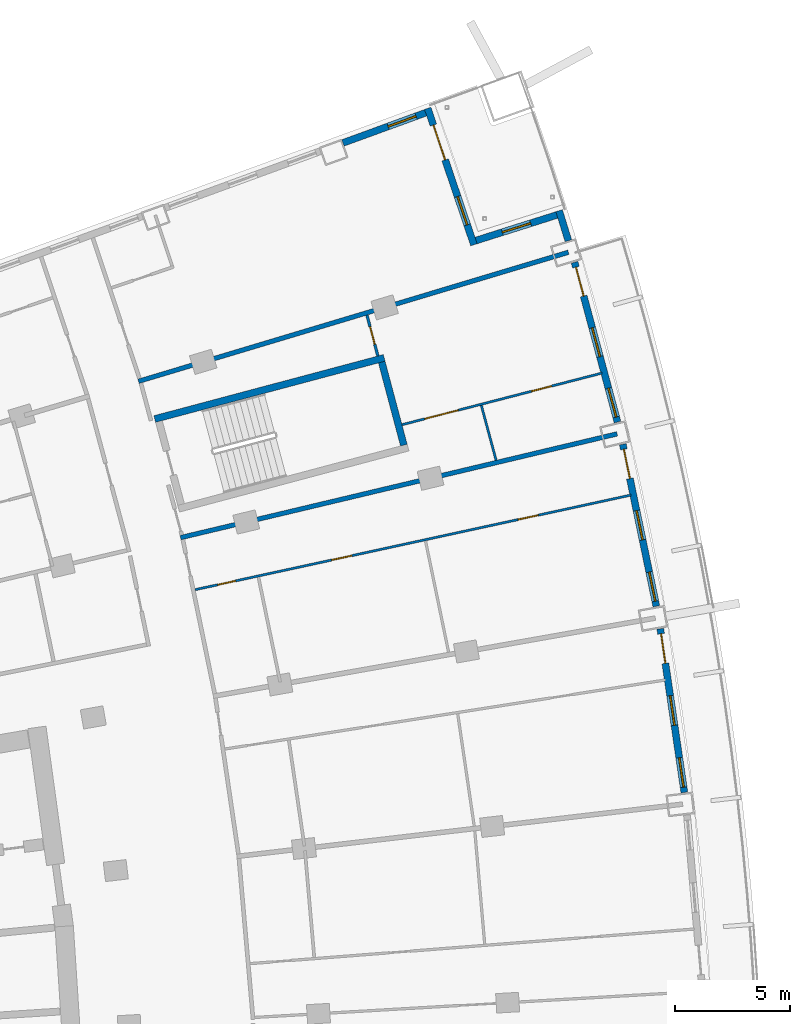
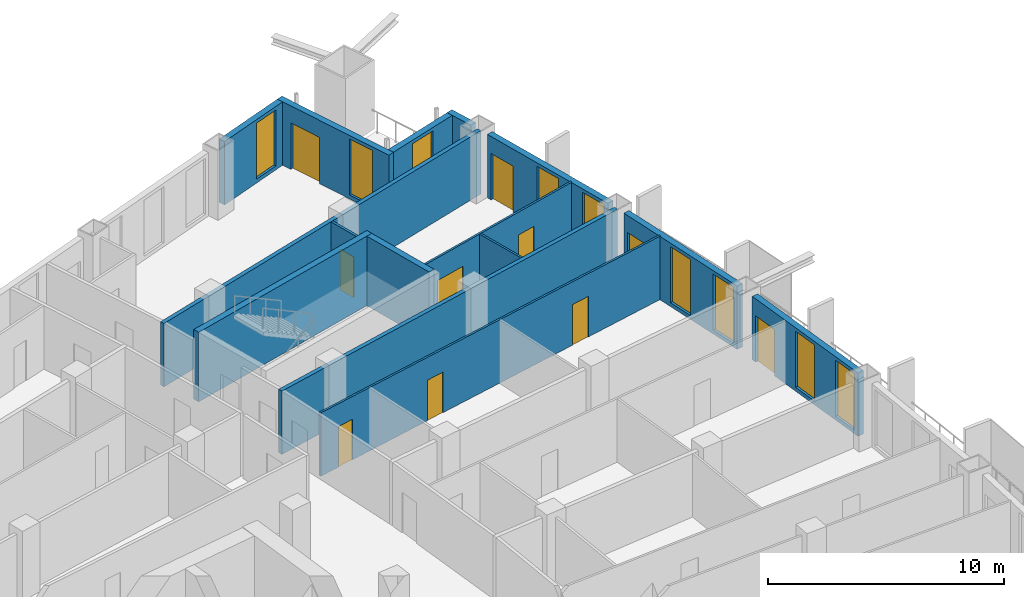
# One storey, part 21 of 25: 15 walls, 10 doors, 9 windows, 19 openings.
"""IFC4 building model written with IfcOpenShell, lengths in metres."""

from ifc_helpers import new_model, si_unit, direction, frame, frame_2d, origin, place, context, subcontext, project, spatial, rectangle, extrude, material, layer, layer_set, type_object, element, fill, save


model = new_model("IFC4")

# Units and contexts
model_context = context("Model", 3, precision=1e-05, world=origin(), true_north=direction((0.0, 1.0)))
body_context = subcontext(model_context, "Body", "Model", "MODEL_VIEW")
ifc_project = project(units=[si_unit("LENGTHUNIT", "METRE"), si_unit("AREAUNIT", "SQUARE_METRE"), si_unit("VOLUMEUNIT", "CUBIC_METRE"), si_unit("PLANEANGLEUNIT", "RADIAN"), si_unit("MASSUNIT", "GRAM", prefix="KILO")], contexts=[model_context])

# Site, building, storey
site_placement = place(None, origin())
site = spatial("IfcSite", under=ifc_project, at=site_placement, CompositionType="ELEMENT")
building_placement = place(site_placement, origin())
building = spatial("IfcBuilding", under=site, at=building_placement, Name="Alderwake Tower", CompositionType="ELEMENT")
storey_placement = place(building_placement, frame((0.0, 0.0, 122.0)))
storey = spatial("IfcBuildingStorey", under=building, at=storey_placement, Name="L30", CompositionType="ELEMENT", Elevation=122.0)

# Walls
ifc_material_1 = material(Name="Concrete C70/85", Category="concrete")
ifc_layer_1 = layer(ifc_material_1, 0.300048828125)
ifc_layer_set_1 = layer_set([ifc_layer_1], Name="Core wall stair enclosure 300 C70-85")
wall_type_1 = type_object("IfcWallType", Name="Core wall stair enclosure 300 C70-85", PredefinedType="SHEAR", material=ifc_layer_set_1)
wall_1_placement = place(storey_placement, frame((36.71142578125, 94.182373046875, 0.0), z_axis=(0.0, 0.0, 1.0), x_axis=(0.966309214305, 0.257383958996, 0.0)))
element("IfcWall", 1, at=wall_1_placement, inside=storey, type_object=wall_type_1, Name="Core wall CW.082", PredefinedType="SHEAR", context=body_context, shape_type="SweptSolid", body=[
    extrude(rectangle(XDim=10.360107421875, YDim=0.300048828125, at=frame_2d((5.18017578125, 0.0))), origin(), (0.0, 0.0, 1.0), 3.60009765625),
])
wall_2_placement = place(storey_placement, frame((47.581298828125, 93.041748046875, 0.0), z_axis=(0.0, 0.0, 1.0), x_axis=(-0.257366821694, 0.966313778796, 0.0)))
element("IfcWall", 2, at=wall_2_placement, inside=storey, type_object=wall_type_1, Name="Core wall CW.081", PredefinedType="SHEAR", context=body_context, shape_type="SweptSolid", body=[
    extrude(rectangle(XDim=3.749755859375, YDim=0.300048828125, at=frame_2d((1.875, 0.0))), origin(), (0.0, 0.0, 1.0), 3.60009765625),
])

# Wall, openings, door, windows
ifc_material_2 = material(Name="Precast concrete C50/60 spandrel panel", Category="concrete")
ifc_layer_2 = layer(ifc_material_2, 0.300048828125)
ifc_layer_set_2 = layer_set([ifc_layer_2], Name="External wall EW1 Precast concrete C50/60 spandrel")
wall_type_2 = type_object("IfcWallType", Name="External wall EW1 Precast concrete C50/60 spandrel", PredefinedType="SOLIDWALL", material=ifc_layer_set_2)
wall_3_placement = place(storey_placement, frame((59.820068359375, 77.888916015625, 0.0), z_axis=(0.0, 0.0, 1.0), x_axis=(-0.145322588421, 0.989384326384, 0.0)))
wall_3 = element("IfcWall", 3, at=wall_3_placement, inside=storey, type_object=wall_type_2, Name="External wall 19", PredefinedType="SOLIDWALL", context=body_context, shape_type="SweptSolid", body=[
    extrude(rectangle(XDim=7.21728515625, YDim=0.300048828125, at=frame_2d((3.608642578125, 0.0))), origin(), (0.0, 0.0, 1.0), 3.280029296875),
])
opening_1_placement = place(wall_3_placement, frame((0.22509765625, 0.0, 0.199951171875)))
opening_1 = element("IfcOpeningElement", 4, at=opening_1_placement, cuts=wall_3, Name="Opening W1", PredefinedType="OPENING", context=body_context, shape_type="SweptSolid", body=[
    extrude(rectangle(XDim=1.300048828125, YDim=2.89990234375, at=frame_2d((0.64990234375, 1.449951171875))), frame((0.0, 0.159912109375, 0.0), z_axis=(0.0, -1.0, 0.0), x_axis=(1.0, 0.0, 0.0)), (0.0, 0.0, 1.0), 0.320068359375),
])
opening_2_placement = place(wall_3_placement, frame((2.958740234375, 0.0, 0.199951171875)))
opening_2 = element("IfcOpeningElement", 5, at=opening_2_placement, cuts=wall_3, Name="Opening W1", PredefinedType="OPENING", context=body_context, shape_type="SweptSolid", body=[
    extrude(rectangle(XDim=1.300048828125, YDim=2.89990234375, at=frame_2d((0.64990234375, 1.449951171875))), frame((0.0, 0.159912109375, 0.0), z_axis=(0.0, -1.0, 0.0), x_axis=(1.0, 0.0, 0.0)), (0.0, 0.0, 1.0), 0.320068359375),
])
opening_3_placement = place(wall_3_placement, frame((5.692138671875, 0.0, 0.0)))
opening_3 = element("IfcOpeningElement", 6, at=opening_3_placement, cuts=wall_3, Name="Opening D10", PredefinedType="OPENING", context=body_context, shape_type="SweptSolid", body=[
    extrude(rectangle(XDim=1.300048828125, YDim=2.39990234375, at=frame_2d((0.64990234375, 1.199951171875))), frame((0.0, 0.159912109375, 0.0), z_axis=(0.0, -1.0, 0.0), x_axis=(1.0, 0.0, 0.0)), (0.0, 0.0, 1.0), 0.320068359375),
])
ifc_material_3 = material(Name="Bronze tinted glass in aluminium frame", Category="aluminium")
door_type_1 = type_object("IfcDoorType", Name="Balcony door BD sliding", OperationType="SLIDING_TO_LEFT", PredefinedType="DOOR", material=ifc_material_3)
door_1_placement = place(opening_3_placement, origin())
door_1 = element("IfcDoor", 7, at=door_1_placement, inside=storey, type_object=door_type_1, Name="Door D10", OperationType="SLIDING_TO_LEFT", OverallHeight=2.39990234375, OverallWidth=1.300048828125, PredefinedType="DOOR", context=body_context, shape_type="SweptSolid", body=[
    extrude(rectangle(XDim=1.300048828125, YDim=2.39990234375, at=frame_2d((0.64990234375, 1.199951171875))), frame((0.0, 0.02490234375, 0.0), z_axis=(0.0, -1.0, 0.0), x_axis=(1.0, 0.0, 0.0)), (0.0, 0.0, 1.0), 0.050048828125),
])
fill(opening_3, door_1)
ifc_material_4 = material(Name="Bronze tinted glass in aluminium frame", Category="aluminium")
window_type = type_object("IfcWindowType", Name="Window W1 tall fixed and vent", PartitioningType="DOUBLE_PANEL_VERTICAL", PredefinedType="WINDOW", material=ifc_material_4)
window_1_placement = place(opening_1_placement, origin())
window_1 = element("IfcWindow", 8, at=window_1_placement, inside=storey, type_object=window_type, Name="Window W1 tall fixed and vent", OverallHeight=2.89990234375, OverallWidth=1.300048828125, PartitioningType="DOUBLE_PANEL_VERTICAL", PredefinedType="WINDOW", context=body_context, shape_type="SweptSolid", body=[
    extrude(rectangle(XDim=1.300048828125, YDim=2.89990234375, at=frame_2d((0.64990234375, 1.449951171875))), frame((0.0, 0.030029296875, 0.0), z_axis=(0.0, -1.0, 0.0), x_axis=(1.0, 0.0, 0.0)), (0.0, 0.0, 1.0), 0.06005859375),
])
fill(opening_1, window_1)
window_2_placement = place(opening_2_placement, origin())
window_2 = element("IfcWindow", 9, at=window_2_placement, inside=storey, type_object=window_type, Name="Window W1 tall fixed and vent", OverallHeight=2.89990234375, OverallWidth=1.300048828125, PartitioningType="DOUBLE_PANEL_VERTICAL", PredefinedType="WINDOW", context=body_context, shape_type="SweptSolid", body=[
    extrude(rectangle(XDim=1.300048828125, YDim=2.89990234375, at=frame_2d((0.64990234375, 1.449951171875))), frame((0.0, 0.030029296875, 0.0), z_axis=(0.0, -1.0, 0.0), x_axis=(1.0, 0.0, 0.0)), (0.0, 0.0, 1.0), 0.06005859375),
])
fill(opening_2, window_2)

wall_4_placement = place(storey_placement, frame((58.59765625, 86.01171875, 0.0), z_axis=(0.0, 0.0, 1.0), x_axis=(-0.202759964429, 0.979228470187, 0.0)))
wall_4 = element("IfcWall", 10, at=wall_4_placement, inside=storey, type_object=wall_type_2, Name="External wall 20", PredefinedType="SOLIDWALL", context=body_context, shape_type="SweptSolid", body=[
    extrude(rectangle(XDim=7.21728515625, YDim=0.300048828125, at=frame_2d((3.608642578125, 0.0))), origin(), (0.0, 0.0, 1.0), 3.280029296875),
])
opening_4_placement = place(wall_4_placement, frame((0.22509765625, 0.0, 0.199951171875)))
opening_4 = element("IfcOpeningElement", 11, at=opening_4_placement, cuts=wall_4, Name="Opening W1", PredefinedType="OPENING", context=body_context, shape_type="SweptSolid", body=[
    extrude(rectangle(XDim=1.300048828125, YDim=2.89990234375, at=frame_2d((0.64990234375, 1.449951171875))), frame((0.0, 0.159912109375, 0.0), z_axis=(0.0, -1.0, 0.0), x_axis=(1.0, 0.0, 0.0)), (0.0, 0.0, 1.0), 0.320068359375),
])
opening_5_placement = place(wall_4_placement, frame((2.958740234375, 0.0, 0.199951171875)))
opening_5 = element("IfcOpeningElement", 12, at=opening_5_placement, cuts=wall_4, Name="Opening W1", PredefinedType="OPENING", context=body_context, shape_type="SweptSolid", body=[
    extrude(rectangle(XDim=1.300048828125, YDim=2.89990234375, at=frame_2d((0.64990234375, 1.449951171875))), frame((0.0, 0.159912109375, 0.0), z_axis=(0.0, -1.0, 0.0), x_axis=(1.0, 0.0, 0.0)), (0.0, 0.0, 1.0), 0.320068359375),
])
opening_6_placement = place(wall_4_placement, frame((5.692138671875, 0.0, 0.0)))
opening_6 = element("IfcOpeningElement", 13, at=opening_6_placement, cuts=wall_4, Name="Opening D11", PredefinedType="OPENING", context=body_context, shape_type="SweptSolid", body=[
    extrude(rectangle(XDim=1.300048828125, YDim=2.39990234375, at=frame_2d((0.64990234375, 1.199951171875))), frame((0.0, 0.159912109375, 0.0), z_axis=(0.0, -1.0, 0.0), x_axis=(1.0, 0.0, 0.0)), (0.0, 0.0, 1.0), 0.320068359375),
])
door_2_placement = place(opening_6_placement, origin())
door_2 = element("IfcDoor", 14, at=door_2_placement, inside=storey, type_object=door_type_1, Name="Door D11", OperationType="SLIDING_TO_LEFT", OverallHeight=2.39990234375, OverallWidth=1.300048828125, PredefinedType="DOOR", context=body_context, shape_type="SweptSolid", body=[
    extrude(rectangle(XDim=1.300048828125, YDim=2.39990234375, at=frame_2d((0.64990234375, 1.199951171875))), frame((0.0, 0.02490234375, 0.0), z_axis=(0.0, -1.0, 0.0), x_axis=(1.0, 0.0, 0.0)), (0.0, 0.0, 1.0), 0.050048828125),
])
fill(opening_6, door_2)
window_3_placement = place(opening_4_placement, origin())
window_3 = element("IfcWindow", 15, at=window_3_placement, inside=storey, type_object=window_type, Name="Window W1 tall fixed and vent", OverallHeight=2.89990234375, OverallWidth=1.300048828125, PartitioningType="DOUBLE_PANEL_VERTICAL", PredefinedType="WINDOW", context=body_context, shape_type="SweptSolid", body=[
    extrude(rectangle(XDim=1.300048828125, YDim=2.89990234375, at=frame_2d((0.64990234375, 1.449951171875))), frame((0.0, 0.030029296875, 0.0), z_axis=(0.0, -1.0, 0.0), x_axis=(1.0, 0.0, 0.0)), (0.0, 0.0, 1.0), 0.06005859375),
])
fill(opening_4, window_3)
window_4_placement = place(opening_5_placement, origin())
window_4 = element("IfcWindow", 16, at=window_4_placement, inside=storey, type_object=window_type, Name="Window W1 tall fixed and vent", OverallHeight=2.89990234375, OverallWidth=1.300048828125, PartitioningType="DOUBLE_PANEL_VERTICAL", PredefinedType="WINDOW", context=body_context, shape_type="SweptSolid", body=[
    extrude(rectangle(XDim=1.300048828125, YDim=2.89990234375, at=frame_2d((0.64990234375, 1.449951171875))), frame((0.0, 0.030029296875, 0.0), z_axis=(0.0, -1.0, 0.0), x_axis=(1.0, 0.0, 0.0)), (0.0, 0.0, 1.0), 0.06005859375),
])
fill(opening_5, window_4)

wall_5_placement = place(storey_placement, frame((56.90380859375, 94.04931640625, 0.0), z_axis=(0.0, 0.0, 1.0), x_axis=(-0.259514900315, 0.965739103751, 0.0)))
wall_5 = element("IfcWall", 17, at=wall_5_placement, inside=storey, type_object=wall_type_2, Name="External wall 21", PredefinedType="SOLIDWALL", context=body_context, shape_type="SweptSolid", body=[
    extrude(rectangle(XDim=7.217529296875, YDim=0.300048828125, at=frame_2d((3.60888671875, 0.0))), origin(), (0.0, 0.0, 1.0), 3.280029296875),
])
opening_7_placement = place(wall_5_placement, frame((0.22509765625, 0.0, 0.199951171875)))
opening_7 = element("IfcOpeningElement", 18, at=opening_7_placement, cuts=wall_5, Name="Opening W1", PredefinedType="OPENING", context=body_context, shape_type="SweptSolid", body=[
    extrude(rectangle(XDim=1.300048828125, YDim=2.89990234375, at=frame_2d((0.64990234375, 1.449951171875))), frame((0.0, 0.159912109375, 0.0), z_axis=(0.0, -1.0, 0.0), x_axis=(1.0, 0.0, 0.0)), (0.0, 0.0, 1.0), 0.320068359375),
])
opening_8_placement = place(wall_5_placement, frame((2.958740234375, 0.0, 0.199951171875)))
opening_8 = element("IfcOpeningElement", 19, at=opening_8_placement, cuts=wall_5, Name="Opening W1", PredefinedType="OPENING", context=body_context, shape_type="SweptSolid", body=[
    extrude(rectangle(XDim=1.300048828125, YDim=2.89990234375, at=frame_2d((0.64990234375, 1.449951171875))), frame((0.0, 0.159912109375, 0.0), z_axis=(0.0, -1.0, 0.0), x_axis=(1.0, 0.0, 0.0)), (0.0, 0.0, 1.0), 0.320068359375),
])
opening_9_placement = place(wall_5_placement, frame((5.692138671875, 0.0, 0.0)))
opening_9 = element("IfcOpeningElement", 20, at=opening_9_placement, cuts=wall_5, Name="Opening D12", PredefinedType="OPENING", context=body_context, shape_type="SweptSolid", body=[
    extrude(rectangle(XDim=1.300048828125, YDim=2.39990234375, at=frame_2d((0.64990234375, 1.199951171875))), frame((0.0, 0.159912109375, 0.0), z_axis=(0.0, -1.0, 0.0), x_axis=(1.0, 0.0, 0.0)), (0.0, 0.0, 1.0), 0.320068359375),
])
door_3_placement = place(opening_9_placement, origin())
door_3 = element("IfcDoor", 21, at=door_3_placement, inside=storey, type_object=door_type_1, Name="Door D12", OperationType="SLIDING_TO_LEFT", OverallHeight=2.39990234375, OverallWidth=1.300048828125, PredefinedType="DOOR", context=body_context, shape_type="SweptSolid", body=[
    extrude(rectangle(XDim=1.300048828125, YDim=2.39990234375, at=frame_2d((0.64990234375, 1.199951171875))), frame((0.0, 0.02490234375, 0.0), z_axis=(0.0, -1.0, 0.0), x_axis=(1.0, 0.0, 0.0)), (0.0, 0.0, 1.0), 0.050048828125),
])
fill(opening_9, door_3)
window_5_placement = place(opening_7_placement, origin())
window_5 = element("IfcWindow", 22, at=window_5_placement, inside=storey, type_object=window_type, Name="Window W1 tall fixed and vent", OverallHeight=2.89990234375, OverallWidth=1.300048828125, PartitioningType="DOUBLE_PANEL_VERTICAL", PredefinedType="WINDOW", context=body_context, shape_type="SweptSolid", body=[
    extrude(rectangle(XDim=1.300048828125, YDim=2.89990234375, at=frame_2d((0.64990234375, 1.449951171875))), frame((0.0, 0.030029296875, 0.0), z_axis=(0.0, -1.0, 0.0), x_axis=(1.0, 0.0, 0.0)), (0.0, 0.0, 1.0), 0.06005859375),
])
fill(opening_7, window_5)
window_6_placement = place(opening_8_placement, origin())
window_6 = element("IfcWindow", 23, at=window_6_placement, inside=storey, type_object=window_type, Name="Window W1 tall fixed and vent", OverallHeight=2.89990234375, OverallWidth=1.300048828125, PartitioningType="DOUBLE_PANEL_VERTICAL", PredefinedType="WINDOW", context=body_context, shape_type="SweptSolid", body=[
    extrude(rectangle(XDim=1.300048828125, YDim=2.89990234375, at=frame_2d((0.64990234375, 1.449951171875))), frame((0.0, 0.030029296875, 0.0), z_axis=(0.0, -1.0, 0.0), x_axis=(1.0, 0.0, 0.0)), (0.0, 0.0, 1.0), 0.06005859375),
])
fill(opening_8, window_6)

# Wall
wall_6_placement = place(storey_placement, frame((54.759521484375, 101.9609375, 0.0), z_axis=(0.0, 0.0, 1.0), x_axis=(-0.294435661299, 0.955671304035, 0.0)))
element("IfcWall", 24, at=wall_6_placement, inside=storey, type_object=wall_type_2, Name="External wall 22", PredefinedType="SOLIDWALL", context=body_context, shape_type="SweptSolid", body=[
    extrude(rectangle(XDim=1.373046875, YDim=0.300048828125, at=frame_2d((0.6865234375, 0.0))), origin(), (0.0, 0.0, 1.0), 3.280029296875),
])

# Wall, opening, window
ifc_material_5 = material(Name="Bronze metal cladding on lightweight framing")
ifc_layer_3 = layer(ifc_material_5, 0.300048828125)
ifc_layer_set_3 = layer_set([ifc_layer_3], Name="External wall EW2 bronze metal cladding")
wall_type_3 = type_object("IfcWallType", Name="External wall EW2 bronze metal cladding", PredefinedType="SOLIDWALL", material=ifc_layer_set_3)
wall_7_placement = place(storey_placement, frame((54.25634765625, 103.08447265625, 0.0), z_axis=(0.0, 0.0, 1.0), x_axis=(-0.953466730622, -0.301498248083, 0.0)))
wall_7 = element("IfcWall", 25, at=wall_7_placement, inside=storey, type_object=wall_type_3, Name="External wall 23", PredefinedType="SOLIDWALL", context=body_context, shape_type="SweptSolid", body=[
    extrude(rectangle(XDim=3.694091796875, YDim=0.300048828125, at=frame_2d((1.84716796875, 0.0))), origin(), (0.0, 0.0, 1.0), 3.280029296875),
])
opening_10_placement = place(wall_7_placement, frame((1.197021484375, 0.0, 0.199951171875)))
opening_10 = element("IfcOpeningElement", 26, at=opening_10_placement, cuts=wall_7, Name="Opening W1", PredefinedType="OPENING", context=body_context, shape_type="SweptSolid", body=[
    extrude(rectangle(XDim=1.300048828125, YDim=2.89990234375, at=frame_2d((0.64990234375, 1.449951171875))), frame((0.0, 0.159912109375, 0.0), z_axis=(0.0, -1.0, 0.0), x_axis=(1.0, 0.0, 0.0)), (0.0, 0.0, 1.0), 0.320068359375),
])
window_7_placement = place(opening_10_placement, origin())
window_7 = element("IfcWindow", 27, at=window_7_placement, inside=storey, type_object=window_type, Name="Window W1 tall fixed and vent", OverallHeight=2.89990234375, OverallWidth=1.300048828125, PartitioningType="DOUBLE_PANEL_VERTICAL", PredefinedType="WINDOW", context=body_context, shape_type="SweptSolid", body=[
    extrude(rectangle(XDim=1.300048828125, YDim=2.89990234375, at=frame_2d((0.64990234375, 1.449951171875))), frame((0.0, 0.030029296875, 0.0), z_axis=(0.0, -1.0, 0.0), x_axis=(1.0, 0.0, 0.0)), (0.0, 0.0, 1.0), 0.06005859375),
])
fill(opening_10, window_7)

# Wall, openings, door, window
wall_8_placement = place(storey_placement, frame((50.63916015625, 101.783447265625, 0.0), z_axis=(0.0, 0.0, 1.0), x_axis=(-0.320895814133, 0.947114500191, 0.0)))
wall_8 = element("IfcWall", 28, at=wall_8_placement, inside=storey, type_object=wall_type_3, Name="External wall 24", PredefinedType="SOLIDWALL", context=body_context, shape_type="SweptSolid", body=[
    extrude(rectangle(XDim=6.28662109375, YDim=0.300048828125, at=frame_2d((3.143310546875, 0.0))), origin(), (0.0, 0.0, 1.0), 3.280029296875),
])
opening_11_placement = place(wall_8_placement, frame((0.921630859375, 0.0, 0.199951171875)))
opening_11 = element("IfcOpeningElement", 29, at=opening_11_placement, cuts=wall_8, Name="Opening W1", PredefinedType="OPENING", context=body_context, shape_type="SweptSolid", body=[
    extrude(rectangle(XDim=1.300048828125, YDim=2.89990234375, at=frame_2d((0.64990234375, 1.449951171875))), frame((0.0, 0.159912109375, 0.0), z_axis=(0.0, -1.0, 0.0), x_axis=(1.0, 0.0, 0.0)), (0.0, 0.0, 1.0), 0.320068359375),
])
opening_12_placement = place(wall_8_placement, frame((3.9150390625, 0.0, 0.0)))
opening_12 = element("IfcOpeningElement", 30, at=opening_12_placement, cuts=wall_8, Name="Opening D13", PredefinedType="OPENING", context=body_context, shape_type="SweptSolid", body=[
    extrude(rectangle(XDim=1.60009765625, YDim=2.39990234375, at=frame_2d((0.800048828125, 1.199951171875))), frame((0.0, 0.159912109375, 0.0), z_axis=(0.0, -1.0, 0.0), x_axis=(1.0, 0.0, 0.0)), (0.0, 0.0, 1.0), 0.320068359375),
])
ifc_material_6 = material(Name="Bronze tinted glass in aluminium frame", Category="aluminium")
door_type_2 = type_object("IfcDoorType", Name="Terrace door TD sliding", OperationType="SLIDING_TO_LEFT", PredefinedType="DOOR", material=ifc_material_6)
door_4_placement = place(opening_12_placement, origin())
door_4 = element("IfcDoor", 31, at=door_4_placement, inside=storey, type_object=door_type_2, Name="Door D13", OperationType="SLIDING_TO_LEFT", OverallHeight=2.39990234375, OverallWidth=1.60009765625, PredefinedType="DOOR", context=body_context, shape_type="SweptSolid", body=[
    extrude(rectangle(XDim=1.60009765625, YDim=2.39990234375, at=frame_2d((0.800048828125, 1.199951171875))), frame((0.0, 0.02490234375, 0.0), z_axis=(0.0, -1.0, 0.0), x_axis=(1.0, 0.0, 0.0)), (0.0, 0.0, 1.0), 0.050048828125),
])
fill(opening_12, door_4)
window_8_placement = place(opening_11_placement, origin())
window_8 = element("IfcWindow", 32, at=window_8_placement, inside=storey, type_object=window_type, Name="Window W1 tall fixed and vent", OverallHeight=2.89990234375, OverallWidth=1.300048828125, PartitioningType="DOUBLE_PANEL_VERTICAL", PredefinedType="WINDOW", context=body_context, shape_type="SweptSolid", body=[
    extrude(rectangle(XDim=1.300048828125, YDim=2.89990234375, at=frame_2d((0.64990234375, 1.449951171875))), frame((0.0, 0.030029296875, 0.0), z_axis=(0.0, -1.0, 0.0), x_axis=(1.0, 0.0, 0.0)), (0.0, 0.0, 1.0), 0.06005859375),
])
fill(opening_11, window_8)

# Wall, opening, window
wall_9_placement = place(storey_placement, frame((48.529052734375, 107.544189453125, 0.0), z_axis=(0.0, 0.0, 1.0), x_axis=(-0.939372933228, -0.342897203718, 0.0)))
wall_9 = element("IfcWall", 33, at=wall_9_placement, inside=storey, type_object=wall_type_3, Name="External wall 25", PredefinedType="SOLIDWALL", context=body_context, shape_type="SweptSolid", body=[
    extrude(rectangle(XDim=3.837646484375, YDim=0.300048828125, at=frame_2d((1.9189453125, 0.0))), origin(), (0.0, 0.0, 1.0), 3.280029296875),
])
opening_13_placement = place(wall_9_placement, frame((0.441162109375, 0.0, 0.199951171875)))
opening_13 = element("IfcOpeningElement", 34, at=opening_13_placement, cuts=wall_9, Name="Opening W1", PredefinedType="OPENING", context=body_context, shape_type="SweptSolid", body=[
    extrude(rectangle(XDim=1.300048828125, YDim=2.89990234375, at=frame_2d((0.64990234375, 1.449951171875))), frame((0.0, 0.159912109375, 0.0), z_axis=(0.0, -1.0, 0.0), x_axis=(1.0, 0.0, 0.0)), (0.0, 0.0, 1.0), 0.320068359375),
])
window_9_placement = place(opening_13_placement, origin())
window_9 = element("IfcWindow", 35, at=window_9_placement, inside=storey, type_object=window_type, Name="Window W1 tall fixed and vent", OverallHeight=2.89990234375, OverallWidth=1.300048828125, PartitioningType="DOUBLE_PANEL_VERTICAL", PredefinedType="WINDOW", context=body_context, shape_type="SweptSolid", body=[
    extrude(rectangle(XDim=1.300048828125, YDim=2.89990234375, at=frame_2d((0.64990234375, 1.449951171875))), frame((0.0, 0.030029296875, 0.0), z_axis=(0.0, -1.0, 0.0), x_axis=(1.0, 0.0, 0.0)), (0.0, 0.0, 1.0), 0.06005859375),
])
fill(opening_13, window_9)

# Walls
ifc_material_7 = material(Name="Dense block masonry wall", Category="masonry")
ifc_layer_4 = layer(ifc_material_7, 0.199951171875)
ifc_layer_set_4 = layer_set([ifc_layer_4], Name="Party wall 200")
wall_type_4 = type_object("IfcWallType", Name="Party wall 200", PredefinedType="SOLIDWALL", material=ifc_layer_set_4)
wall_10_placement = place(storey_placement, frame((37.839111328125, 89.006591796875, 0.0), z_axis=(0.0, 0.0, 1.0), x_axis=(0.97289391961, 0.23125185661, 0.0)))
element("IfcWall", 36, at=wall_10_placement, inside=storey, type_object=wall_type_4, Name="WL/L30/W07", PredefinedType="SOLIDWALL", context=body_context, shape_type="SweptSolid", body=[
    extrude(rectangle(XDim=19.57763671875, YDim=0.199951171875, at=frame_2d((9.788818359375, 0.0))), origin(), (0.0, 0.0, 1.0), 3.280029296875),
])
wall_11_placement = place(storey_placement, frame((54.759033203125, 101.45703125, 0.0), z_axis=(0.0, 0.0, 1.0), x_axis=(-0.957773766673, -0.287522889302, 0.0)))
element("IfcWall", 37, at=wall_11_placement, inside=storey, type_object=wall_type_4, Name="WL/L30/W09", PredefinedType="SOLIDWALL", context=body_context, shape_type="SweptSolid", body=[
    extrude(rectangle(XDim=19.58154296875, YDim=0.199951171875, at=frame_2d((9.790771484375, 0.0))), origin(), (0.0, 0.0, 1.0), 3.280029296875),
])

# Wall, openings, doors
ifc_material_8 = material(Name="Gypsum board on metal studs")
ifc_layer_5 = layer(ifc_material_8, 0.10009765625)
ifc_layer_set_5 = layer_set([ifc_layer_5], Name="Unit partition 100")
wall_type_5 = type_object("IfcWallType", Name="Unit partition 100", PredefinedType="PARTITIONING", material=ifc_layer_set_5)
wall_12_placement = place(storey_placement, frame((57.491943359375, 90.864013671875, 0.0), z_axis=(0.0, 0.0, 1.0), x_axis=(-0.977238475914, -0.212143727677, 0.0)))
wall_12 = element("IfcWall", 38, at=wall_12_placement, inside=storey, type_object=wall_type_5, Name="WL/L30/W67", PredefinedType="PARTITIONING", context=body_context, shape_type="SweptSolid", body=[
    extrude(rectangle(XDim=19.462890625, YDim=0.10009765625, at=frame_2d((9.7314453125, 0.0))), origin(), (0.0, 0.0, 1.0), 3.280029296875),
])
opening_14_placement = place(wall_12_placement, frame((12.46533203125, 0.0, 0.0)))
opening_14 = element("IfcOpeningElement", 39, at=opening_14_placement, cuts=wall_12, Name="Opening R08-U10.1", PredefinedType="OPENING", context=body_context, shape_type="SweptSolid", body=[
    extrude(rectangle(XDim=0.89990234375, YDim=2.10009765625, at=frame_2d((0.449951171875, 1.050048828125))), frame((0.0, 0.06005859375, 0.0), z_axis=(0.0, -1.0, 0.0), x_axis=(1.0, 0.0, 0.0)), (0.0, 0.0, 1.0), 0.1201171875),
])
opening_15_placement = place(wall_12_placement, frame((17.65380859375, 0.0, 0.0)))
opening_15 = element("IfcOpeningElement", 40, at=opening_15_placement, cuts=wall_12, Name="Opening R08-U10.3", PredefinedType="OPENING", context=body_context, shape_type="SweptSolid", body=[
    extrude(rectangle(XDim=0.800048828125, YDim=2.10009765625, at=frame_2d((0.39990234375, 1.050048828125))), frame((0.0, 0.06005859375, 0.0), z_axis=(0.0, -1.0, 0.0), x_axis=(1.0, 0.0, 0.0)), (0.0, 0.0, 1.0), 0.1201171875),
])
opening_16_placement = place(wall_12_placement, frame((4.1435546875, 0.0, 0.0)))
opening_16 = element("IfcOpeningElement", 41, at=opening_16_placement, cuts=wall_12, Name="Opening R08-U10.4", PredefinedType="OPENING", context=body_context, shape_type="SweptSolid", body=[
    extrude(rectangle(XDim=0.89990234375, YDim=2.10009765625, at=frame_2d((0.449951171875, 1.050048828125))), frame((0.0, 0.06005859375, 0.0), z_axis=(0.0, -1.0, 0.0), x_axis=(1.0, 0.0, 0.0)), (0.0, 0.0, 1.0), 0.1201171875),
])
ifc_material_9 = material(Name="Painted timber leaf", Category="wood")
door_type_3 = type_object("IfcDoorType", Name="Bathroom door 800", OperationType="SINGLE_SWING_LEFT", PredefinedType="DOOR", material=ifc_material_9)
door_5_placement = place(opening_15_placement, origin())
door_5 = element("IfcDoor", 42, at=door_5_placement, inside=storey, type_object=door_type_3, Name="DR/L30/U10.3", OperationType="SINGLE_SWING_LEFT", OverallHeight=2.10009765625, OverallWidth=0.800048828125, PredefinedType="DOOR", context=body_context, shape_type="SweptSolid", body=[
    extrude(rectangle(XDim=0.800048828125, YDim=2.10009765625, at=frame_2d((0.39990234375, 1.050048828125))), frame((0.0, 0.02490234375, 0.0), z_axis=(0.0, -1.0, 0.0), x_axis=(1.0, 0.0, 0.0)), (0.0, 0.0, 1.0), 0.050048828125),
])
fill(opening_15, door_5)
ifc_material_10 = material(Name="Painted timber leaf", Category="wood")
door_type_4 = type_object("IfcDoorType", Name="Room door 900", OperationType="SINGLE_SWING_LEFT", PredefinedType="DOOR", material=ifc_material_10)
door_6_placement = place(opening_14_placement, origin())
door_6 = element("IfcDoor", 43, at=door_6_placement, inside=storey, type_object=door_type_4, Name="DR/L30/U10.1", OperationType="SINGLE_SWING_LEFT", OverallHeight=2.10009765625, OverallWidth=0.89990234375, PredefinedType="DOOR", context=body_context, shape_type="SweptSolid", body=[
    extrude(rectangle(XDim=0.89990234375, YDim=2.10009765625, at=frame_2d((0.449951171875, 1.050048828125))), frame((0.0, 0.02490234375, 0.0), z_axis=(0.0, -1.0, 0.0), x_axis=(1.0, 0.0, 0.0)), (0.0, 0.0, 1.0), 0.050048828125),
])
fill(opening_14, door_6)
door_7_placement = place(opening_16_placement, origin())
door_7 = element("IfcDoor", 44, at=door_7_placement, inside=storey, type_object=door_type_4, Name="DR/L30/U10.4", OperationType="SINGLE_SWING_LEFT", OverallHeight=2.10009765625, OverallWidth=0.89990234375, PredefinedType="DOOR", context=body_context, shape_type="SweptSolid", body=[
    extrude(rectangle(XDim=0.89990234375, YDim=2.10009765625, at=frame_2d((0.449951171875, 1.050048828125))), frame((0.0, 0.02490234375, 0.0), z_axis=(0.0, -1.0, 0.0), x_axis=(1.0, 0.0, 0.0)), (0.0, 0.0, 1.0), 0.050048828125),
])
fill(opening_16, door_7)

wall_13_placement = place(storey_placement, frame((47.4990234375, 93.93310546875, 0.0), z_axis=(0.0, 0.0, 1.0), x_axis=(0.968256179077, 0.249959940148, 0.0)))
wall_13 = element("IfcWall", 45, at=wall_13_placement, inside=storey, type_object=wall_type_5, Name="WL/L30/W77", PredefinedType="PARTITIONING", context=body_context, shape_type="SweptSolid", body=[
    extrude(rectangle(XDim=9.01318359375, YDim=0.10009765625, at=frame_2d((4.506591796875, 0.0))), origin(), (0.0, 0.0, 1.0), 3.280029296875),
])
opening_17_placement = place(wall_13_placement, frame((1.03173828125, 0.0, 0.0)))
opening_17 = element("IfcOpeningElement", 46, at=opening_17_placement, cuts=wall_13, Name="Opening R08-U02.2", PredefinedType="OPENING", context=body_context, shape_type="SweptSolid", body=[
    extrude(rectangle(XDim=1.5, YDim=2.10009765625, at=frame_2d((0.75, 1.050048828125))), frame((0.0, 0.06005859375, 0.0), z_axis=(0.0, -1.0, 0.0), x_axis=(1.0, 0.0, 0.0)), (0.0, 0.0, 1.0), 0.1201171875),
])
opening_18_placement = place(wall_13_placement, frame((5.838134765625, 0.0, 0.0)))
opening_18 = element("IfcOpeningElement", 47, at=opening_18_placement, cuts=wall_13, Name="Opening R08-U02.3", PredefinedType="OPENING", context=body_context, shape_type="SweptSolid", body=[
    extrude(rectangle(XDim=0.89990234375, YDim=2.10009765625, at=frame_2d((0.449951171875, 1.050048828125))), frame((0.0, 0.06005859375, 0.0), z_axis=(0.0, -1.0, 0.0), x_axis=(1.0, 0.0, 0.0)), (0.0, 0.0, 1.0), 0.1201171875),
])
ifc_material_11 = material(Name="Painted timber leaves", Category="wood")
door_type_5 = type_object("IfcDoorType", Name="Double leaf door 1500", OperationType="DOUBLE_DOOR_SINGLE_SWING", PredefinedType="DOOR", material=ifc_material_11)
door_8_placement = place(opening_17_placement, origin())
door_8 = element("IfcDoor", 48, at=door_8_placement, inside=storey, type_object=door_type_5, Name="DR/L30/U02.2", OperationType="DOUBLE_DOOR_SINGLE_SWING", OverallHeight=2.10009765625, OverallWidth=1.5, PredefinedType="DOOR", context=body_context, shape_type="SweptSolid", body=[
    extrude(rectangle(XDim=1.5, YDim=2.10009765625, at=frame_2d((0.75, 1.050048828125))), frame((0.0, 0.02490234375, 0.0), z_axis=(0.0, -1.0, 0.0), x_axis=(1.0, 0.0, 0.0)), (0.0, 0.0, 1.0), 0.050048828125),
])
fill(opening_17, door_8)
door_9_placement = place(opening_18_placement, origin())
door_9 = element("IfcDoor", 49, at=door_9_placement, inside=storey, type_object=door_type_4, Name="DR/L30/U02.3", OperationType="SINGLE_SWING_LEFT", OverallHeight=2.10009765625, OverallWidth=0.89990234375, PredefinedType="DOOR", context=body_context, shape_type="SweptSolid", body=[
    extrude(rectangle(XDim=0.89990234375, YDim=2.10009765625, at=frame_2d((0.449951171875, 1.050048828125))), frame((0.0, 0.02490234375, 0.0), z_axis=(0.0, -1.0, 0.0), x_axis=(1.0, 0.0, 0.0)), (0.0, 0.0, 1.0), 0.050048828125),
])
fill(opening_18, door_9)

# Wall
wall_14_placement = place(storey_placement, frame((51.60693359375, 92.379638671875, 0.0), z_axis=(0.0, 0.0, 1.0), x_axis=(-0.259952302089, 0.965621458253, 0.0)))
element("IfcWall", 50, at=wall_14_placement, inside=storey, type_object=wall_type_5, Name="WL/L30/W86", PredefinedType="PARTITIONING", context=body_context, shape_type="SweptSolid", body=[
    extrude(rectangle(XDim=2.481201171875, YDim=0.10009765625, at=frame_2d((1.24072265625, 0.0))), origin(), (0.0, 0.0, 1.0), 3.280029296875),
])

# Wall, opening, door
ifc_material_12 = material(Name="Moisture resistant gypsum board on metal studs")
ifc_layer_6 = layer(ifc_material_12, 0.1201171875)
ifc_layer_set_6 = layer_set([ifc_layer_6], Name="Wet room partition 120")
wall_type_6 = type_object("IfcWallType", Name="Wet room partition 120", PredefinedType="PARTITIONING", material=ifc_layer_set_6)
wall_15_placement = place(storey_placement, frame((46.448974609375, 96.929931640625, 0.0), z_axis=(0.0, 0.0, 1.0), x_axis=(-0.258764710752, 0.965940383497, 0.0)))
wall_15 = element("IfcWall", 51, at=wall_15_placement, inside=storey, type_object=wall_type_6, Name="WL/L30/W63", PredefinedType="PARTITIONING", context=body_context, shape_type="SweptSolid", body=[
    extrude(rectangle(XDim=1.847412109375, YDim=0.1201171875, at=frame_2d((0.923828125, 0.0))), origin(), (0.0, 0.0, 1.0), 3.280029296875),
])
opening_19_placement = place(wall_15_placement, frame((0.524169921875, 0.0, 0.0)))
opening_19 = element("IfcOpeningElement", 52, at=opening_19_placement, cuts=wall_15, Name="Opening R08-U02.4", PredefinedType="OPENING", context=body_context, shape_type="SweptSolid", body=[
    extrude(rectangle(XDim=0.800048828125, YDim=2.10009765625, at=frame_2d((0.39990234375, 1.050048828125))), frame((0.0, 0.070068359375, 0.0), z_axis=(0.0, -1.0, 0.0), x_axis=(1.0, 0.0, 0.0)), (0.0, 0.0, 1.0), 0.14013671875),
])
door_10_placement = place(opening_19_placement, origin())
door_10 = element("IfcDoor", 53, at=door_10_placement, inside=storey, type_object=door_type_3, Name="DR/L30/U02.4", OperationType="SINGLE_SWING_LEFT", OverallHeight=2.10009765625, OverallWidth=0.800048828125, PredefinedType="DOOR", context=body_context, shape_type="SweptSolid", body=[
    extrude(rectangle(XDim=0.800048828125, YDim=2.10009765625, at=frame_2d((0.39990234375, 1.050048828125))), frame((0.0, 0.02490234375, 0.0), z_axis=(0.0, -1.0, 0.0), x_axis=(1.0, 0.0, 0.0)), (0.0, 0.0, 1.0), 0.050048828125),
])
fill(opening_19, door_10)

save(model, "model.ifc")
